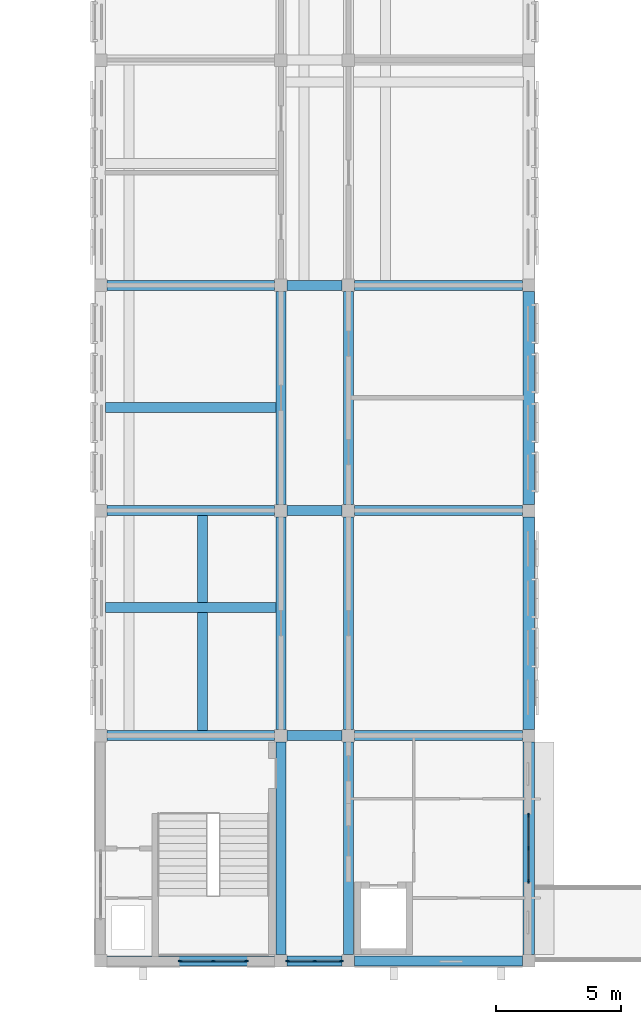
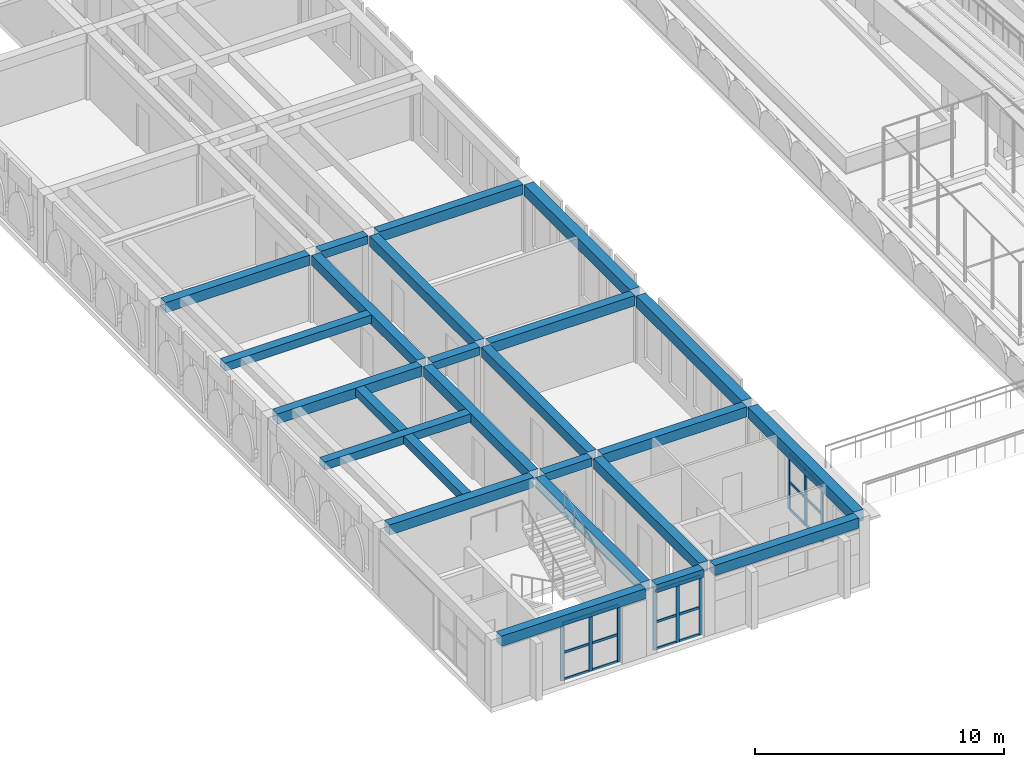
# One storey, part 19 of 50: 27 members, 24 beams, 3 elements without a shape of their own.
"""IFC4 building model written with IfcOpenShell, lengths in metres."""

from ifc_helpers import new_model, si_unit, direction, frame, origin, origin_2d, place, context, subcontext, project, spatial, rectangle, extrude, material, layer, layer_set, material_profile, profile_set, type_object, element, aggregate, save


model = new_model("IFC4")

# Units and contexts
model_context = context("Model", 3, precision=1e-05, world=origin(), true_north=direction((0.0, 1.0)))
body_context = subcontext(model_context, "Body", "Model", "MODEL_VIEW")
ifc_project = project(units=[si_unit("LENGTHUNIT", "METRE"), si_unit("AREAUNIT", "SQUARE_METRE"), si_unit("VOLUMEUNIT", "CUBIC_METRE"), si_unit("PLANEANGLEUNIT", "RADIAN"), si_unit("MASSUNIT", "GRAM", prefix="KILO")], contexts=[model_context])

# Site, building, storey
site_placement = place(None, origin())
site = spatial("IfcSite", under=ifc_project, at=site_placement, CompositionType="ELEMENT")
building_placement = place(site_placement, origin())
building = spatial("IfcBuilding", under=site, at=building_placement, Name="Elbe Cascade School", CompositionType="ELEMENT")
storey_placement = place(building_placement, frame((0.0, 0.0, 15.300048828125)))
storey = spatial("IfcBuildingStorey", under=building, at=storey_placement, Name="L04", CompositionType="ELEMENT", Elevation=15.300048828125)

# Curtain wall, members
ifc_material_1 = material(Name="Aluminium frame with double glazing, bronze anodised", Category="aluminium")
ifc_layer = layer(ifc_material_1, 0.159912109375)
ifc_layer_set = layer_set([ifc_layer], Name="Aluminium frame with double glazing, bronze anodised")
curtain_wall_type = type_object("IfcCurtainWallType", Name="Bars envelope Curtain wall, aluminium, bronze anodised, storey-high slot", PredefinedType="NOTDEFINED", material=ifc_layer_set)
curtain_wall_1_placement = place(storey_placement, origin())
curtain_wall_1 = element("IfcCurtainWall", 1, at=curtain_wall_1_placement, inside=storey, type_object=curtain_wall_type, Name="Curtain wall CW4 A.L04.e1", PredefinedType="NOTDEFINED")
ifc_material_2 = material(Name="Aluminium mullion, bronze anodised", Category="aluminium")
ifc_material_profile_1 = material_profile(ifc_material_2, rectangle(XDim=0.06005859375, YDim=0.159912109375, at=origin_2d()), Name="Bars envelope Curtain wall mullion 60 x 160, aluminium, storey-high slot")
ifc_profile_set_1 = profile_set([ifc_material_profile_1], Name="Aluminium mullion, bronze anodised")
member_type_1 = type_object("IfcMemberType", Name="Bars envelope Curtain wall mullion 60 x 160, aluminium, storey-high slot", PredefinedType="MULLION", material=ifc_profile_set_1)
member_1_placement = place(storey_placement, frame((86.10009765625, 11.820068359375, 0.0), z_axis=(0.0, 0.0, 1.0), x_axis=(1.0, 0.0, 0.0)))
member_1 = element("IfcMember", 2, at=member_1_placement, type_object=member_type_1, Name="CW4 mullion 1", PredefinedType="MULLION", context=body_context, shape_type="SweptSolid", body=[
    extrude(rectangle(XDim=0.06005859375, YDim=0.159912109375, at=origin_2d()), origin(), (0.0, 0.0, 1.0), 2.75),
])
member_2_placement = place(storey_placement, frame((86.10009765625, 10.5, 0.0), z_axis=(0.0, 0.0, 1.0), x_axis=(1.0, 0.0, 0.0)))
member_2 = element("IfcMember", 3, at=member_2_placement, type_object=member_type_1, Name="CW4 mullion 2", PredefinedType="MULLION", context=body_context, shape_type="SweptSolid", body=[
    extrude(rectangle(XDim=0.06005859375, YDim=0.159912109375, at=origin_2d()), origin(), (0.0, 0.0, 1.0), 2.75),
])
member_3_placement = place(storey_placement, frame((86.10009765625, 9.179931640625, 0.0), z_axis=(0.0, 0.0, 1.0), x_axis=(1.0, 0.0, 0.0)))
member_3 = element("IfcMember", 4, at=member_3_placement, type_object=member_type_1, Name="CW4 mullion 3", PredefinedType="MULLION", context=body_context, shape_type="SweptSolid", body=[
    extrude(rectangle(XDim=0.06005859375, YDim=0.159912109375, at=origin_2d()), origin(), (0.0, 0.0, 1.0), 2.75),
])

curtain_wall_2_placement = place(storey_placement, origin())
curtain_wall_2 = element("IfcCurtainWall", 5, at=curtain_wall_2_placement, inside=storey, type_object=curtain_wall_type, Name="Curtain wall CW4 A.L04.s1", PredefinedType="NOTDEFINED")
member_4_placement = place(storey_placement, frame((74.820068359375, 6.0, 0.0), z_axis=(0.0, 0.0, 1.0), x_axis=(0.0, -1.0, 0.0)))
member_4 = element("IfcMember", 6, at=member_4_placement, type_object=member_type_1, Name="CW4 mullion 1", PredefinedType="MULLION", context=body_context, shape_type="SweptSolid", body=[
    extrude(rectangle(XDim=0.06005859375, YDim=0.159912109375, at=origin_2d()), origin(), (0.0, 0.0, 1.0), 2.800048828125),
])
member_5_placement = place(storey_placement, frame((73.5, 6.0, 0.0), z_axis=(0.0, 0.0, 1.0), x_axis=(0.0, -1.0, 0.0)))
member_5 = element("IfcMember", 7, at=member_5_placement, type_object=member_type_1, Name="CW4 mullion 2", PredefinedType="MULLION", context=body_context, shape_type="SweptSolid", body=[
    extrude(rectangle(XDim=0.06005859375, YDim=0.159912109375, at=origin_2d()), origin(), (0.0, 0.0, 1.0), 2.800048828125),
])
member_6_placement = place(storey_placement, frame((72.179931640625, 6.0, 0.0), z_axis=(0.0, 0.0, 1.0), x_axis=(0.0, -1.0, 0.0)))
member_6 = element("IfcMember", 8, at=member_6_placement, type_object=member_type_1, Name="CW4 mullion 3", PredefinedType="MULLION", context=body_context, shape_type="SweptSolid", body=[
    extrude(rectangle(XDim=0.06005859375, YDim=0.159912109375, at=origin_2d()), origin(), (0.0, 0.0, 1.0), 2.800048828125),
])

curtain_wall_3_placement = place(storey_placement, origin())
curtain_wall_3 = element("IfcCurtainWall", 9, at=curtain_wall_3_placement, inside=storey, type_object=curtain_wall_type, Name="Curtain wall CW4 A.L04.s2", PredefinedType="NOTDEFINED")
member_7_placement = place(storey_placement, frame((78.6201171875, 6.0, 0.0), z_axis=(0.0, 0.0, 1.0), x_axis=(0.0, -1.0, 0.0)))
member_7 = element("IfcMember", 10, at=member_7_placement, type_object=member_type_1, Name="CW4 mullion 1", PredefinedType="MULLION", context=body_context, shape_type="SweptSolid", body=[
    extrude(rectangle(XDim=0.06005859375, YDim=0.159912109375, at=origin_2d()), origin(), (0.0, 0.0, 1.0), 2.89990234375),
])
member_8_placement = place(storey_placement, frame((77.550048828125, 6.0, 0.0), z_axis=(0.0, 0.0, 1.0), x_axis=(0.0, -1.0, 0.0)))
member_8 = element("IfcMember", 11, at=member_8_placement, type_object=member_type_1, Name="CW4 mullion 2", PredefinedType="MULLION", context=body_context, shape_type="SweptSolid", body=[
    extrude(rectangle(XDim=0.06005859375, YDim=0.159912109375, at=origin_2d()), origin(), (0.0, 0.0, 1.0), 2.89990234375),
])
member_9_placement = place(storey_placement, frame((76.47998046875, 6.0, 0.0), z_axis=(0.0, 0.0, 1.0), x_axis=(0.0, -1.0, 0.0)))
member_9 = element("IfcMember", 12, at=member_9_placement, type_object=member_type_1, Name="CW4 mullion 3", PredefinedType="MULLION", context=body_context, shape_type="SweptSolid", body=[
    extrude(rectangle(XDim=0.06005859375, YDim=0.159912109375, at=origin_2d()), origin(), (0.0, 0.0, 1.0), 2.89990234375),
])

# Member
ifc_material_3 = material(Name="Aluminium transom, bronze anodised", Category="aluminium")
ifc_material_profile_2 = material_profile(ifc_material_3, rectangle(XDim=0.06005859375, YDim=0.1201171875, at=origin_2d()), Name="Bars envelope Curtain wall transom 60 x 120, aluminium, storey-high slot")
ifc_profile_set_2 = profile_set([ifc_material_profile_2], Name="Aluminium transom, bronze anodised")
member_type_2 = type_object("IfcMemberType", Name="Bars envelope Curtain wall transom 60 x 120, aluminium, storey-high slot", PredefinedType="USERDEFINED", material=ifc_profile_set_2)
member_10_placement = place(storey_placement, frame((86.10009765625, 11.7900390625, 0.030029296875), z_axis=(0.0, -1.0, 0.0), x_axis=(1.0, 0.0, 0.0)))
member_10 = element("IfcMember", 13, at=member_10_placement, type_object=member_type_2, Name="CW4 transom 1.1", ObjectType="TRANSOM", PredefinedType="USERDEFINED", context=body_context, shape_type="SweptSolid", body=[
    extrude(rectangle(XDim=0.06005859375, YDim=0.1201171875, at=origin_2d()), origin(), (0.0, 0.0, 1.0), 1.260009765625),
])

member_11_placement = place(storey_placement, frame((86.10009765625, 11.7900390625, 1.349853515625), z_axis=(0.0, -1.0, 0.0), x_axis=(1.0, 0.0, 0.0)))
member_11 = element("IfcMember", 14, at=member_11_placement, type_object=member_type_2, Name="CW4 transom 1.2", ObjectType="TRANSOM", PredefinedType="USERDEFINED", context=body_context, shape_type="SweptSolid", body=[
    extrude(rectangle(XDim=0.06005859375, YDim=0.1201171875, at=origin_2d()), origin(), (0.0, 0.0, 1.0), 1.260009765625),
])

member_12_placement = place(storey_placement, frame((86.10009765625, 11.7900390625, 2.719970703125), z_axis=(0.0, -1.0, 0.0), x_axis=(1.0, 0.0, 0.0)))
member_12 = element("IfcMember", 15, at=member_12_placement, type_object=member_type_2, Name="CW4 transom 1.3", ObjectType="TRANSOM", PredefinedType="USERDEFINED", context=body_context, shape_type="SweptSolid", body=[
    extrude(rectangle(XDim=0.06005859375, YDim=0.1201171875, at=origin_2d()), origin(), (0.0, 0.0, 1.0), 1.260009765625),
])

member_13_placement = place(storey_placement, frame((86.10009765625, 10.469970703125, 0.030029296875), z_axis=(0.0, -1.0, 0.0), x_axis=(1.0, 0.0, 0.0)))
member_13 = element("IfcMember", 16, at=member_13_placement, type_object=member_type_2, Name="CW4 transom 2.1", ObjectType="TRANSOM", PredefinedType="USERDEFINED", context=body_context, shape_type="SweptSolid", body=[
    extrude(rectangle(XDim=0.06005859375, YDim=0.1201171875, at=origin_2d()), origin(), (0.0, 0.0, 1.0), 1.260009765625),
])

member_14_placement = place(storey_placement, frame((86.10009765625, 10.469970703125, 1.349853515625), z_axis=(0.0, -1.0, 0.0), x_axis=(1.0, 0.0, 0.0)))
member_14 = element("IfcMember", 17, at=member_14_placement, type_object=member_type_2, Name="CW4 transom 2.2", ObjectType="TRANSOM", PredefinedType="USERDEFINED", context=body_context, shape_type="SweptSolid", body=[
    extrude(rectangle(XDim=0.06005859375, YDim=0.1201171875, at=origin_2d()), origin(), (0.0, 0.0, 1.0), 1.260009765625),
])

member_15_placement = place(storey_placement, frame((86.10009765625, 10.469970703125, 2.719970703125), z_axis=(0.0, -1.0, 0.0), x_axis=(1.0, 0.0, 0.0)))
member_15 = element("IfcMember", 18, at=member_15_placement, type_object=member_type_2, Name="CW4 transom 2.3", ObjectType="TRANSOM", PredefinedType="USERDEFINED", context=body_context, shape_type="SweptSolid", body=[
    extrude(rectangle(XDim=0.06005859375, YDim=0.1201171875, at=origin_2d()), origin(), (0.0, 0.0, 1.0), 1.260009765625),
])

aggregate(curtain_wall_1, [member_1, member_2, member_3, member_10, member_11, member_12, member_13, member_14, member_15])

member_16_placement = place(storey_placement, frame((74.7900390625, 6.0, 0.030029296875), z_axis=(-1.0, 0.0, 0.0), x_axis=(0.0, -1.0, 0.0)))
member_16 = element("IfcMember", 19, at=member_16_placement, type_object=member_type_2, Name="CW4 transom 1.1", ObjectType="TRANSOM", PredefinedType="USERDEFINED", context=body_context, shape_type="SweptSolid", body=[
    extrude(rectangle(XDim=0.06005859375, YDim=0.1201171875, at=origin_2d()), origin(), (0.0, 0.0, 1.0), 1.260009765625),
])

member_17_placement = place(storey_placement, frame((74.7900390625, 6.0, 1.349853515625), z_axis=(-1.0, 0.0, 0.0), x_axis=(0.0, -1.0, 0.0)))
member_17 = element("IfcMember", 20, at=member_17_placement, type_object=member_type_2, Name="CW4 transom 1.2", ObjectType="TRANSOM", PredefinedType="USERDEFINED", context=body_context, shape_type="SweptSolid", body=[
    extrude(rectangle(XDim=0.06005859375, YDim=0.1201171875, at=origin_2d()), origin(), (0.0, 0.0, 1.0), 1.260009765625),
])

member_18_placement = place(storey_placement, frame((74.7900390625, 6.0, 2.77001953125), z_axis=(-1.0, 0.0, 0.0), x_axis=(0.0, -1.0, 0.0)))
member_18 = element("IfcMember", 21, at=member_18_placement, type_object=member_type_2, Name="CW4 transom 1.3", ObjectType="TRANSOM", PredefinedType="USERDEFINED", context=body_context, shape_type="SweptSolid", body=[
    extrude(rectangle(XDim=0.06005859375, YDim=0.1201171875, at=origin_2d()), origin(), (0.0, 0.0, 1.0), 1.260009765625),
])

member_19_placement = place(storey_placement, frame((73.469970703125, 6.0, 0.030029296875), z_axis=(-1.0, 0.0, 0.0), x_axis=(0.0, -1.0, 0.0)))
member_19 = element("IfcMember", 22, at=member_19_placement, type_object=member_type_2, Name="CW4 transom 2.1", ObjectType="TRANSOM", PredefinedType="USERDEFINED", context=body_context, shape_type="SweptSolid", body=[
    extrude(rectangle(XDim=0.06005859375, YDim=0.1201171875, at=origin_2d()), origin(), (0.0, 0.0, 1.0), 1.260009765625),
])

member_20_placement = place(storey_placement, frame((73.469970703125, 6.0, 1.349853515625), z_axis=(-1.0, 0.0, 0.0), x_axis=(0.0, -1.0, 0.0)))
member_20 = element("IfcMember", 23, at=member_20_placement, type_object=member_type_2, Name="CW4 transom 2.2", ObjectType="TRANSOM", PredefinedType="USERDEFINED", context=body_context, shape_type="SweptSolid", body=[
    extrude(rectangle(XDim=0.06005859375, YDim=0.1201171875, at=origin_2d()), origin(), (0.0, 0.0, 1.0), 1.260009765625),
])

member_21_placement = place(storey_placement, frame((73.469970703125, 6.0, 2.77001953125), z_axis=(-1.0, 0.0, 0.0), x_axis=(0.0, -1.0, 0.0)))
member_21 = element("IfcMember", 24, at=member_21_placement, type_object=member_type_2, Name="CW4 transom 2.3", ObjectType="TRANSOM", PredefinedType="USERDEFINED", context=body_context, shape_type="SweptSolid", body=[
    extrude(rectangle(XDim=0.06005859375, YDim=0.1201171875, at=origin_2d()), origin(), (0.0, 0.0, 1.0), 1.260009765625),
])

aggregate(curtain_wall_2, [member_4, member_5, member_6, member_16, member_17, member_18, member_19, member_20, member_21])

member_22_placement = place(storey_placement, frame((78.590087890625, 6.0, 0.030029296875), z_axis=(-1.0, 0.0, 0.0), x_axis=(0.0, -1.0, 0.0)))
member_22 = element("IfcMember", 25, at=member_22_placement, type_object=member_type_2, Name="CW4 transom 1.1", ObjectType="TRANSOM", PredefinedType="USERDEFINED", context=body_context, shape_type="SweptSolid", body=[
    extrude(rectangle(XDim=0.06005859375, YDim=0.1201171875, at=origin_2d()), origin(), (0.0, 0.0, 1.0), 1.010009765625),
])

member_23_placement = place(storey_placement, frame((78.590087890625, 6.0, 1.349853515625), z_axis=(-1.0, 0.0, 0.0), x_axis=(0.0, -1.0, 0.0)))
member_23 = element("IfcMember", 26, at=member_23_placement, type_object=member_type_2, Name="CW4 transom 1.2", ObjectType="TRANSOM", PredefinedType="USERDEFINED", context=body_context, shape_type="SweptSolid", body=[
    extrude(rectangle(XDim=0.06005859375, YDim=0.1201171875, at=origin_2d()), origin(), (0.0, 0.0, 1.0), 1.010009765625),
])

member_24_placement = place(storey_placement, frame((78.590087890625, 6.0, 2.869873046875), z_axis=(-1.0, 0.0, 0.0), x_axis=(0.0, -1.0, 0.0)))
member_24 = element("IfcMember", 27, at=member_24_placement, type_object=member_type_2, Name="CW4 transom 1.3", ObjectType="TRANSOM", PredefinedType="USERDEFINED", context=body_context, shape_type="SweptSolid", body=[
    extrude(rectangle(XDim=0.06005859375, YDim=0.1201171875, at=origin_2d()), origin(), (0.0, 0.0, 1.0), 1.010009765625),
])

member_25_placement = place(storey_placement, frame((77.52001953125, 6.0, 0.030029296875), z_axis=(-1.0, 0.0, 0.0), x_axis=(0.0, -1.0, 0.0)))
member_25 = element("IfcMember", 28, at=member_25_placement, type_object=member_type_2, Name="CW4 transom 2.1", ObjectType="TRANSOM", PredefinedType="USERDEFINED", context=body_context, shape_type="SweptSolid", body=[
    extrude(rectangle(XDim=0.06005859375, YDim=0.1201171875, at=origin_2d()), origin(), (0.0, 0.0, 1.0), 1.010009765625),
])

member_26_placement = place(storey_placement, frame((77.52001953125, 6.0, 1.349853515625), z_axis=(-1.0, 0.0, 0.0), x_axis=(0.0, -1.0, 0.0)))
member_26 = element("IfcMember", 29, at=member_26_placement, type_object=member_type_2, Name="CW4 transom 2.2", ObjectType="TRANSOM", PredefinedType="USERDEFINED", context=body_context, shape_type="SweptSolid", body=[
    extrude(rectangle(XDim=0.06005859375, YDim=0.1201171875, at=origin_2d()), origin(), (0.0, 0.0, 1.0), 1.010009765625),
])

member_27_placement = place(storey_placement, frame((77.52001953125, 6.0, 2.869873046875), z_axis=(-1.0, 0.0, 0.0), x_axis=(0.0, -1.0, 0.0)))
member_27 = element("IfcMember", 30, at=member_27_placement, type_object=member_type_2, Name="CW4 transom 2.3", ObjectType="TRANSOM", PredefinedType="USERDEFINED", context=body_context, shape_type="SweptSolid", body=[
    extrude(rectangle(XDim=0.06005859375, YDim=0.1201171875, at=origin_2d()), origin(), (0.0, 0.0, 1.0), 1.010009765625),
])

aggregate(curtain_wall_3, [member_7, member_8, member_9, member_22, member_23, member_24, member_25, member_26, member_27])

# Beams
ifc_material_4 = material(Name="Concrete C30/37", Category="concrete")
ifc_material_profile_3 = material_profile(ifc_material_4, rectangle(XDim=0.39990234375, YDim=0.39990234375, at=origin_2d()), Name="RC 400x400")
ifc_profile_set_3 = profile_set([ifc_material_profile_3], Name="Concrete C30/37")
beam_type_1 = type_object("IfcBeamType", Name="RC 400x400 beam", PredefinedType="BEAM", material=ifc_profile_set_3)
for number, where, z_axis, x_axis, name in (
    (31, (76.449951171875, 6.0, 3.099853515625), (1.0, 0.0, 0.0), (0.0, 1.0, 0.0), "RC 400x400 beam B5"),
    (32, (76.449951171875, 15.0, 3.099853515625), (1.0, 0.0, 0.0), (0.0, 1.0, 0.0), "RC 400x400 beam B5"),
    (33, (76.449951171875, 24.0, 3.099853515625), (1.0, 0.0, 0.0), (0.0, 1.0, 0.0), "RC 400x400 beam B5"),
    (34, (76.449951171875, 33.0, 3.099853515625), (1.0, 0.0, 0.0), (0.0, 1.0, 0.0), "RC 400x400 beam B5"),
):
    element("IfcBeam", number, at=place(storey_placement, frame(where, z_axis=z_axis, x_axis=x_axis)), inside=storey, type_object=beam_type_1, Name=name, PredefinedType="BEAM", context=body_context, shape_type="SweptSolid", body=[
        extrude(rectangle(XDim=0.39990234375, YDim=0.39990234375, at=origin_2d()), origin(), (0.0, 0.0, 1.0), 2.199951171875),
    ])
beam_1_placement = place(storey_placement, frame((69.199951171875, 28.125, 3.099853515625), z_axis=(1.0, 0.0, 0.0), x_axis=(0.0, 1.0, 0.0)))
element("IfcBeam", 35, at=beam_1_placement, inside=storey, type_object=beam_type_1, Name="RC 400x400 beam B5", PredefinedType="BEAM", context=body_context, shape_type="SweptSolid", body=[
    extrude(rectangle(XDim=0.39990234375, YDim=0.39990234375, at=origin_2d()), origin(), (0.0, 0.0, 1.0), 6.800048828125),
])
beam_2_placement = place(storey_placement, frame((73.074951171875, 15.199951171875, 3.099853515625), z_axis=(0.0, 1.0, 0.0), x_axis=(-1.0, 0.0, 0.0)))
element("IfcBeam", 36, at=beam_2_placement, inside=storey, type_object=beam_type_1, Name="RC 400x400 beam B5", PredefinedType="BEAM", context=body_context, shape_type="SweptSolid", body=[
    extrude(rectangle(XDim=0.39990234375, YDim=0.39990234375, at=origin_2d()), origin(), (0.0, 0.0, 1.0), 8.60009765625),
])
beam_3_placement = place(storey_placement, frame((69.199951171875, 20.125, 3.099853515625), z_axis=(1.0, 0.0, 0.0), x_axis=(0.0, 1.0, 0.0)))
element("IfcBeam", 37, at=beam_3_placement, inside=storey, type_object=beam_type_1, Name="RC 400x400 beam B5", PredefinedType="BEAM", context=body_context, shape_type="SweptSolid", body=[
    extrude(rectangle(XDim=0.39990234375, YDim=0.39990234375, at=origin_2d()), origin(), (0.0, 0.0, 1.0), 6.800048828125),
])
ifc_material_5 = material(Name="Concrete C30/37", Category="concrete")
ifc_material_profile_4 = material_profile(ifc_material_5, rectangle(XDim=0.39990234375, YDim=0.5, at=origin_2d()), Name="RC 400x500")
ifc_profile_set_4 = profile_set([ifc_material_profile_4], Name="Concrete C30/37")
beam_type_2 = type_object("IfcBeamType", Name="RC 400x500 beam", PredefinedType="BEAM", material=ifc_profile_set_4)
for number, where, z_axis, x_axis, name in (
    (38, (76.199951171875, 6.25, 3.050048828125), (0.0, 1.0, 0.0), (-1.0, 0.0, 0.0), "RC 400x500 beam B1"),
    (39, (76.199951171875, 15.25, 3.050048828125), (0.0, 1.0, 0.0), (-1.0, 0.0, 0.0), "RC 400x500 beam B1"),
    (40, (76.199951171875, 24.25, 3.050048828125), (0.0, 1.0, 0.0), (-1.0, 0.0, 0.0), "RC 400x500 beam B1"),
    (41, (78.89990234375, 6.25, 3.050048828125), (0.0, 1.0, 0.0), (-1.0, 0.0, 0.0), "RC 400x500 beam B1"),
    (42, (78.89990234375, 15.25, 3.050048828125), (0.0, 1.0, 0.0), (-1.0, 0.0, 0.0), "RC 400x500 beam B1"),
    (43, (78.89990234375, 24.25, 3.050048828125), (0.0, 1.0, 0.0), (-1.0, 0.0, 0.0), "RC 400x500 beam B1"),
):
    element("IfcBeam", number, at=place(storey_placement, frame(where, z_axis=z_axis, x_axis=x_axis)), inside=storey, type_object=beam_type_2, Name=name, PredefinedType="BEAM", context=body_context, shape_type="SweptSolid", body=[
        extrude(rectangle(XDim=0.39990234375, YDim=0.5, at=origin_2d()), origin(), (0.0, 0.0, 1.0), 8.5),
    ])
beam_4_placement = place(storey_placement, frame((69.25, 6.0, 3.050048828125), z_axis=(1.0, 0.0, 0.0), x_axis=(0.0, 1.0, 0.0)))
element("IfcBeam", 44, at=beam_4_placement, inside=storey, type_object=beam_type_2, Name="RC 400x500 beam B1", PredefinedType="BEAM", context=body_context, shape_type="SweptSolid", body=[
    extrude(rectangle(XDim=0.39990234375, YDim=0.5, at=origin_2d()), origin(), (0.0, 0.0, 1.0), 6.699951171875),
])
beam_5_placement = place(storey_placement, frame((79.14990234375, 6.0, 3.050048828125), z_axis=(1.0, 0.0, 0.0), x_axis=(0.0, 1.0, 0.0)))
element("IfcBeam", 45, at=beam_5_placement, inside=storey, type_object=beam_type_2, Name="RC 400x500 beam B1", PredefinedType="BEAM", context=body_context, shape_type="SweptSolid", body=[
    extrude(rectangle(XDim=0.39990234375, YDim=0.5, at=origin_2d()), origin(), (0.0, 0.0, 1.0), 6.7001953125),
])
beam_6_placement = place(storey_placement, frame((69.25, 15.0, 3.050048828125), z_axis=(1.0, 0.0, 0.0), x_axis=(0.0, 1.0, 0.0)))
element("IfcBeam", 46, at=beam_6_placement, inside=storey, type_object=beam_type_2, Name="RC 400x500 beam B1", PredefinedType="BEAM", context=body_context, shape_type="SweptSolid", body=[
    extrude(rectangle(XDim=0.39990234375, YDim=0.5, at=origin_2d()), origin(), (0.0, 0.0, 1.0), 6.699951171875),
])
beam_7_placement = place(storey_placement, frame((79.14990234375, 15.0, 3.050048828125), z_axis=(1.0, 0.0, 0.0), x_axis=(0.0, 1.0, 0.0)))
element("IfcBeam", 47, at=beam_7_placement, inside=storey, type_object=beam_type_2, Name="RC 400x500 beam B1", PredefinedType="BEAM", context=body_context, shape_type="SweptSolid", body=[
    extrude(rectangle(XDim=0.39990234375, YDim=0.5, at=origin_2d()), origin(), (0.0, 0.0, 1.0), 6.7001953125),
])
beam_8_placement = place(storey_placement, frame((69.25, 24.0, 3.050048828125), z_axis=(1.0, 0.0, 0.0), x_axis=(0.0, 1.0, 0.0)))
element("IfcBeam", 48, at=beam_8_placement, inside=storey, type_object=beam_type_2, Name="RC 400x500 beam B1", PredefinedType="BEAM", context=body_context, shape_type="SweptSolid", body=[
    extrude(rectangle(XDim=0.39990234375, YDim=0.5, at=origin_2d()), origin(), (0.0, 0.0, 1.0), 6.699951171875),
])
beam_9_placement = place(storey_placement, frame((79.14990234375, 24.0, 3.050048828125), z_axis=(1.0, 0.0, 0.0), x_axis=(0.0, 1.0, 0.0)))
element("IfcBeam", 49, at=beam_9_placement, inside=storey, type_object=beam_type_2, Name="RC 400x500 beam B1", PredefinedType="BEAM", context=body_context, shape_type="SweptSolid", body=[
    extrude(rectangle(XDim=0.39990234375, YDim=0.5, at=origin_2d()), origin(), (0.0, 0.0, 1.0), 6.7001953125),
])
beam_10_placement = place(storey_placement, frame((69.25, 33.0, 3.050048828125), z_axis=(1.0, 0.0, 0.0), x_axis=(0.0, 1.0, 0.0)))
element("IfcBeam", 50, at=beam_10_placement, inside=storey, type_object=beam_type_2, Name="RC 400x500 beam B1", PredefinedType="BEAM", context=body_context, shape_type="SweptSolid", body=[
    extrude(rectangle(XDim=0.39990234375, YDim=0.5, at=origin_2d()), origin(), (0.0, 0.0, 1.0), 6.699951171875),
])
beam_11_placement = place(storey_placement, frame((79.14990234375, 33.0, 3.050048828125), z_axis=(1.0, 0.0, 0.0), x_axis=(0.0, 1.0, 0.0)))
element("IfcBeam", 51, at=beam_11_placement, inside=storey, type_object=beam_type_2, Name="RC 400x500 beam B1", PredefinedType="BEAM", context=body_context, shape_type="SweptSolid", body=[
    extrude(rectangle(XDim=0.39990234375, YDim=0.5, at=origin_2d()), origin(), (0.0, 0.0, 1.0), 6.7001953125),
])
ifc_material_6 = material(Name="Concrete C30/37", Category="concrete")
ifc_material_profile_5 = material_profile(ifc_material_6, rectangle(XDim=0.449951171875, YDim=0.550048828125, at=origin_2d()), Name="RC 450x550")
ifc_profile_set_5 = profile_set([ifc_material_profile_5], Name="Concrete C30/37")
beam_type_3 = type_object("IfcBeamType", Name="RC 450x550 beam", PredefinedType="BEAM", material=ifc_profile_set_5)
for number, where, z_axis, x_axis, name in (
    (52, (86.10009765625, 6.25, 3.02490234375), (0.0, 1.0, 0.0), (-1.0, 0.0, 0.0), "RC 450x550 beam B12"),
    (53, (86.10009765625, 15.25, 3.02490234375), (0.0, 1.0, 0.0), (-1.0, 0.0, 0.0), "RC 450x550 beam B12"),
    (54, (86.10009765625, 24.25, 3.02490234375), (0.0, 1.0, 0.0), (-1.0, 0.0, 0.0), "RC 450x550 beam B12"),
):
    element("IfcBeam", number, at=place(storey_placement, frame(where, z_axis=z_axis, x_axis=x_axis)), inside=storey, type_object=beam_type_3, Name=name, PredefinedType="BEAM", context=body_context, shape_type="SweptSolid", body=[
        extrude(rectangle(XDim=0.449951171875, YDim=0.550048828125, at=origin_2d()), origin(), (0.0, 0.0, 1.0), 8.5),
    ])

save(model, "model.ifc")
